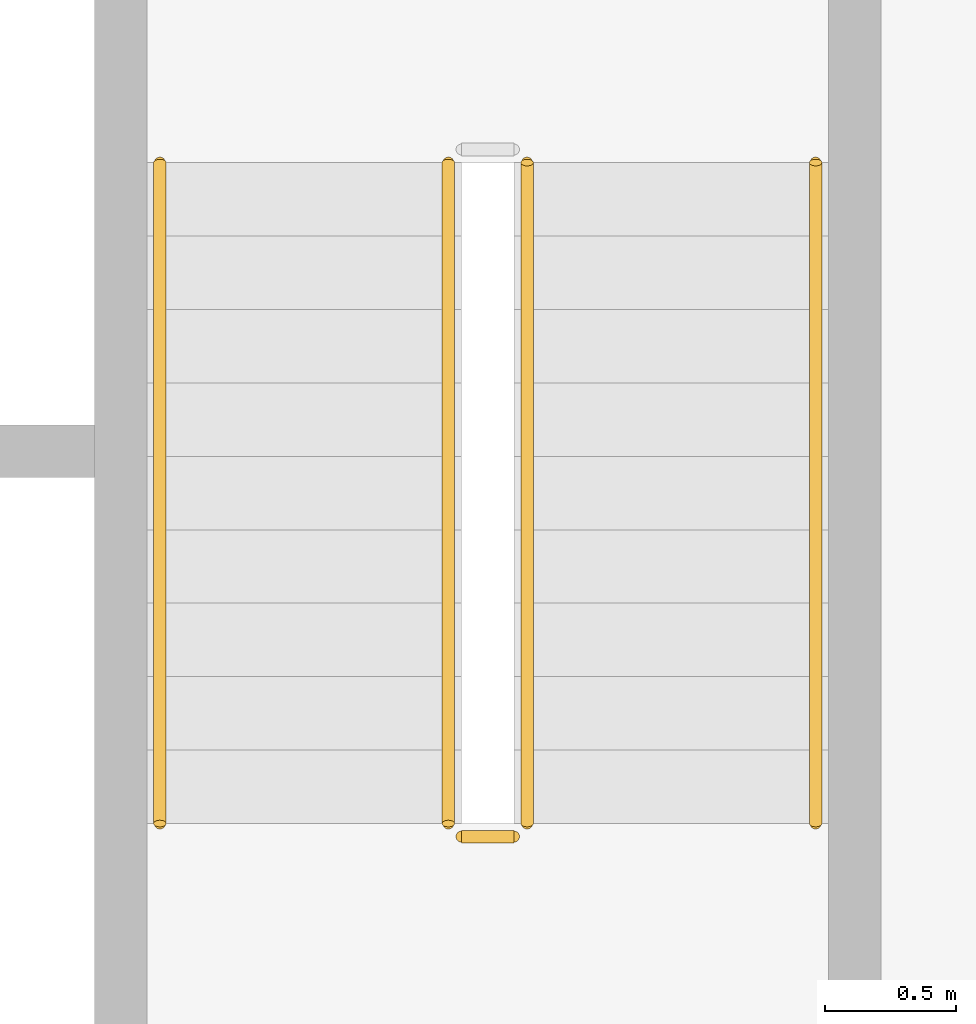
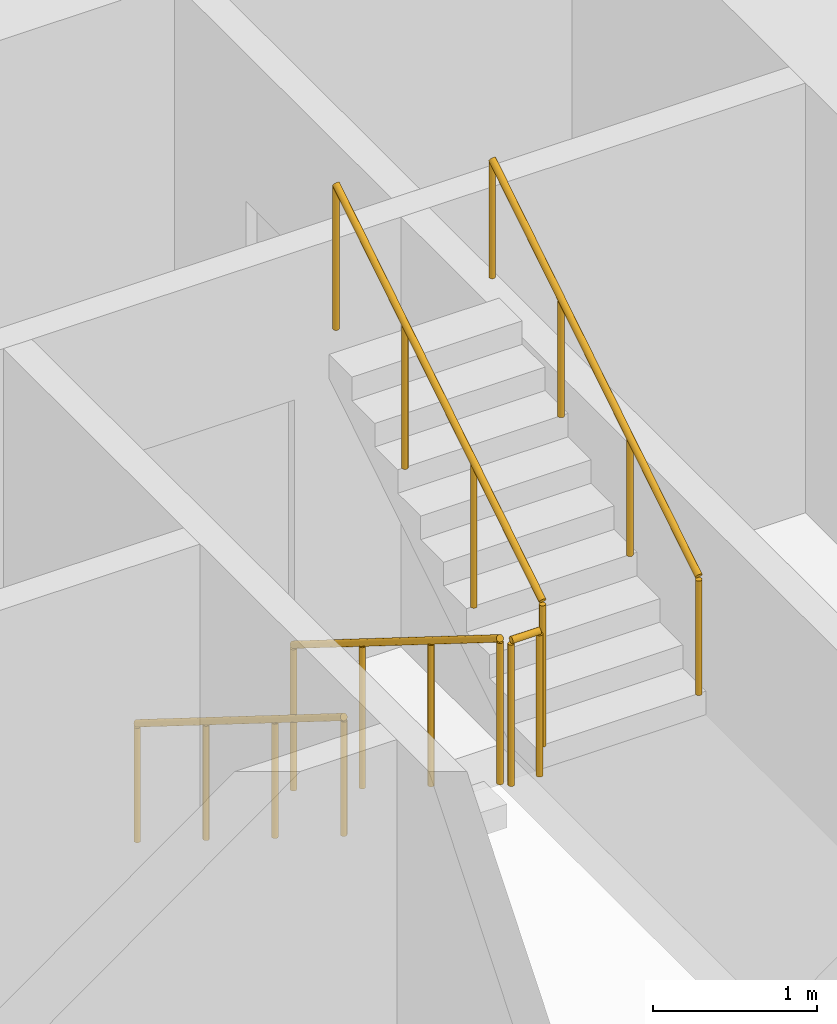
# One storey, part 19 of 22: 5 railings.
"""IFC4 building model written with IfcOpenShell, lengths in metres."""

from ifc_helpers import new_model, si_unit, direction, frame, origin, origin_2d, place, context, subcontext, project, spatial, circle, extrude, material, type_object, element, save


model = new_model("IFC4")

# Units and contexts
model_context = context("Model", 3, precision=1e-05, world=origin(), true_north=direction((0.0, 1.0)))
body_context = subcontext(model_context, "Body", "Model", "MODEL_VIEW")
ifc_project = project(units=[si_unit("LENGTHUNIT", "METRE"), si_unit("AREAUNIT", "SQUARE_METRE"), si_unit("VOLUMEUNIT", "CUBIC_METRE"), si_unit("PLANEANGLEUNIT", "RADIAN"), si_unit("MASSUNIT", "GRAM", prefix="KILO")], contexts=[model_context])

# Site, building, storey
site_placement = place(None, origin())
site = spatial("IfcSite", under=ifc_project, at=site_placement, CompositionType="ELEMENT")
building_placement = place(site_placement, origin())
building = spatial("IfcBuilding", under=site, at=building_placement, Name="Kiln Ring Residences", CompositionType="ELEMENT")
storey_placement = place(building_placement, frame((0.0, 0.0, 171.10009765625)))
storey = spatial("IfcBuildingStorey", under=building, at=storey_placement, Name="L44", CompositionType="ELEMENT", Elevation=171.10009765625)

# Railings
ifc_material_1 = material(Name="Stainless steel", Category="steel")
railing_type_1 = type_object("IfcRailingType", Name="CORE-STAIR-GUARD", PredefinedType="GUARDRAIL", material=ifc_material_1)
railing_1_placement = place(storey_placement, frame((21.949951171875, 8.39990234375, 0.1748046875)))
element("IfcRailing", 1, at=railing_1_placement, inside=storey, type_object=railing_type_1, Name="L44 E-STN stair guard 1", PredefinedType="GUARDRAIL", context=body_context, shape_type="SweptSolid", body=[
    extrude(circle(Radius=0.02392578125, at=origin_2d()), frame((0.0, 0.0, 1.076171875), z_axis=(0.0, -0.847970611238, 0.530043245855), x_axis=(1.0, 0.0, 0.0)), (0.0, 0.0, 1.0), 2.971923828125),
    extrude(circle(Radius=0.02099609375, at=origin_2d()), origin(), (0.0, 0.0, 1.0), 1.052001953125),
    extrude(circle(Radius=0.02099609375, at=origin_2d()), frame((0.0, -0.840087890625, 0.525146484375)), (0.0, 0.0, 1.0), 1.052001953125),
    extrude(circle(Radius=0.02099609375, at=origin_2d()), frame((0.0, -1.679931640625, 1.050048828125)), (0.0, 0.0, 1.0), 1.052001953125),
    extrude(circle(Radius=0.02099609375, at=origin_2d()), frame((0.0, -2.52001953125, 1.5751953125)), (0.0, 0.0, 1.0), 1.052001953125),
])
railing_2_placement = place(storey_placement, frame((22.0, 5.830078125, 1.75)))
element("IfcRailing", 2, at=railing_2_placement, inside=storey, type_object=railing_type_1, Name="L44 E-STN stair guard 2", PredefinedType="GUARDRAIL", context=body_context, shape_type="SweptSolid", body=[
    extrude(circle(Radius=0.02392578125, at=origin_2d()), frame((0.0, 0.0, 1.076171875), z_axis=(1.0, 0.0, 0.0), x_axis=(0.0, 1.0, 0.0)), (0.0, 0.0, 1.0), 0.199951171875),
    extrude(circle(Radius=0.02099609375, at=origin_2d()), origin(), (0.0, 0.0, 1.0), 1.052001953125),
    extrude(circle(Radius=0.02099609375, at=origin_2d()), frame((0.199951171875, 0.0, 0.0)), (0.0, 0.0, 1.0), 1.052001953125),
])
railing_3_placement = place(storey_placement, frame((22.25, 5.8798828125, 1.9248046875)))
element("IfcRailing", 3, at=railing_3_placement, inside=storey, type_object=railing_type_1, Name="L44 E-STN stair guard 3", PredefinedType="GUARDRAIL", context=body_context, shape_type="SweptSolid", body=[
    extrude(circle(Radius=0.02392578125, at=origin_2d()), frame((0.0, 0.0, 1.076171875), z_axis=(0.0, 0.847970611238, 0.530043245855), x_axis=(-1.0, 0.0, 0.0)), (0.0, 0.0, 1.0), 2.971923828125),
    extrude(circle(Radius=0.02099609375, at=origin_2d()), origin(), (0.0, 0.0, 1.0), 1.052001953125),
    extrude(circle(Radius=0.02099609375, at=origin_2d()), frame((0.0, 0.840087890625, 0.525146484375)), (0.0, 0.0, 1.0), 1.052001953125),
    extrude(circle(Radius=0.02099609375, at=origin_2d()), frame((0.0, 1.679931640625, 1.050048828125)), (0.0, 0.0, 1.0), 1.052001953125),
    extrude(circle(Radius=0.02099609375, at=origin_2d()), frame((0.0, 2.52001953125, 1.5751953125)), (0.0, 0.0, 1.0), 1.052001953125),
])
ifc_material_2 = material(Name="Stainless steel", Category="steel")
railing_type_2 = type_object("IfcRailingType", Name="CORE-STAIR-HANDRAIL", PredefinedType="HANDRAIL", material=ifc_material_2)
railing_4_placement = place(storey_placement, frame((20.85009765625, 8.39990234375, 0.1748046875)))
element("IfcRailing", 4, at=railing_4_placement, inside=storey, type_object=railing_type_2, Name="L44 E-STN stair handrail 1", PredefinedType="HANDRAIL", context=body_context, shape_type="SweptSolid", body=[
    extrude(circle(Radius=0.02392578125, at=origin_2d()), frame((0.0, 0.0, 0.8759765625), z_axis=(0.0, -0.847970611238, 0.530043245855), x_axis=(1.0, 0.0, 0.0)), (0.0, 0.0, 1.0), 2.971923828125),
    extrude(circle(Radius=0.02099609375, at=origin_2d()), origin(), (0.0, 0.0, 1.0), 0.851806640625),
    extrude(circle(Radius=0.02099609375, at=origin_2d()), frame((0.0, -0.840087890625, 0.525146484375)), (0.0, 0.0, 1.0), 0.851806640625),
    extrude(circle(Radius=0.02099609375, at=origin_2d()), frame((0.0, -1.679931640625, 1.050048828125)), (0.0, 0.0, 1.0), 0.851806640625),
    extrude(circle(Radius=0.02099609375, at=origin_2d()), frame((0.0, -2.52001953125, 1.5751953125)), (0.0, 0.0, 1.0), 0.851806640625),
])
railing_5_placement = place(storey_placement, frame((23.35009765625, 5.8798828125, 1.9248046875)))
element("IfcRailing", 5, at=railing_5_placement, inside=storey, type_object=railing_type_2, Name="L44 E-STN stair handrail 2", PredefinedType="HANDRAIL", context=body_context, shape_type="SweptSolid", body=[
    extrude(circle(Radius=0.02392578125, at=origin_2d()), frame((0.0, 0.0, 0.8759765625), z_axis=(0.0, 0.847970611238, 0.530043245855), x_axis=(-1.0, 0.0, 0.0)), (0.0, 0.0, 1.0), 2.971923828125),
    extrude(circle(Radius=0.02099609375, at=origin_2d()), origin(), (0.0, 0.0, 1.0), 0.851806640625),
    extrude(circle(Radius=0.02099609375, at=origin_2d()), frame((0.0, 0.840087890625, 0.525146484375)), (0.0, 0.0, 1.0), 0.851806640625),
    extrude(circle(Radius=0.02099609375, at=origin_2d()), frame((0.0, 1.679931640625, 1.050048828125)), (0.0, 0.0, 1.0), 0.851806640625),
    extrude(circle(Radius=0.02099609375, at=origin_2d()), frame((0.0, 2.52001953125, 1.5751953125)), (0.0, 0.0, 1.0), 0.851806640625),
])

save(model, "model.ifc")
